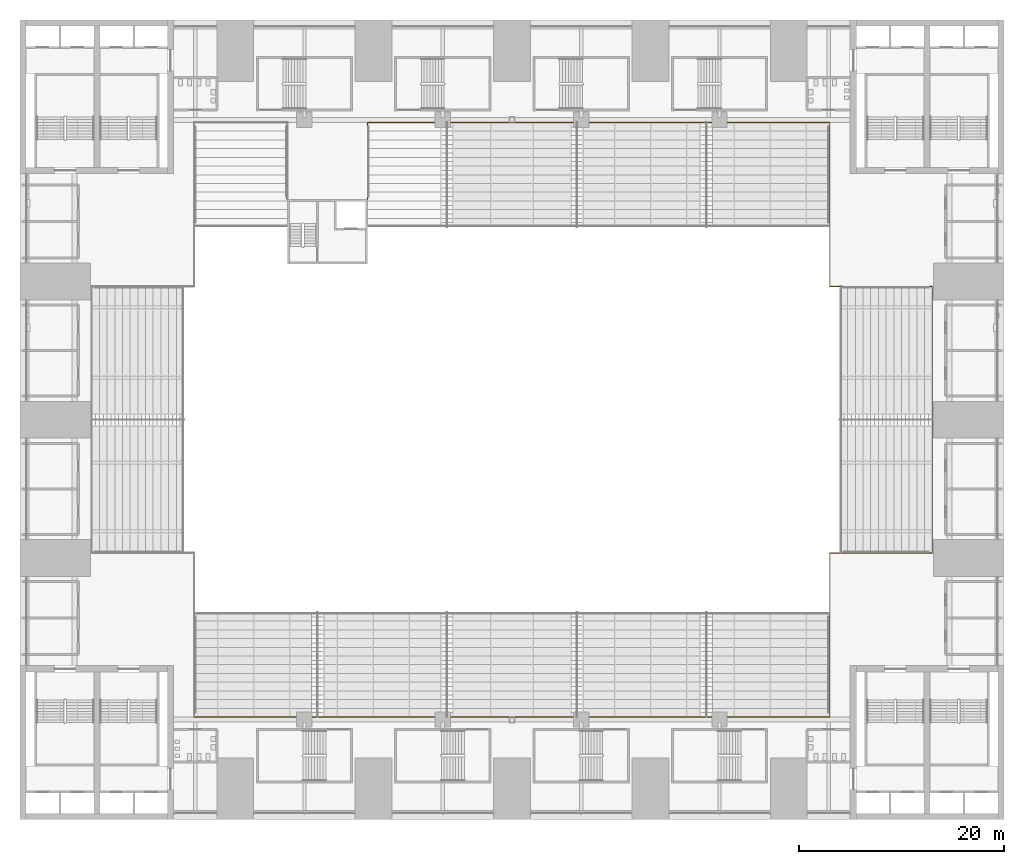
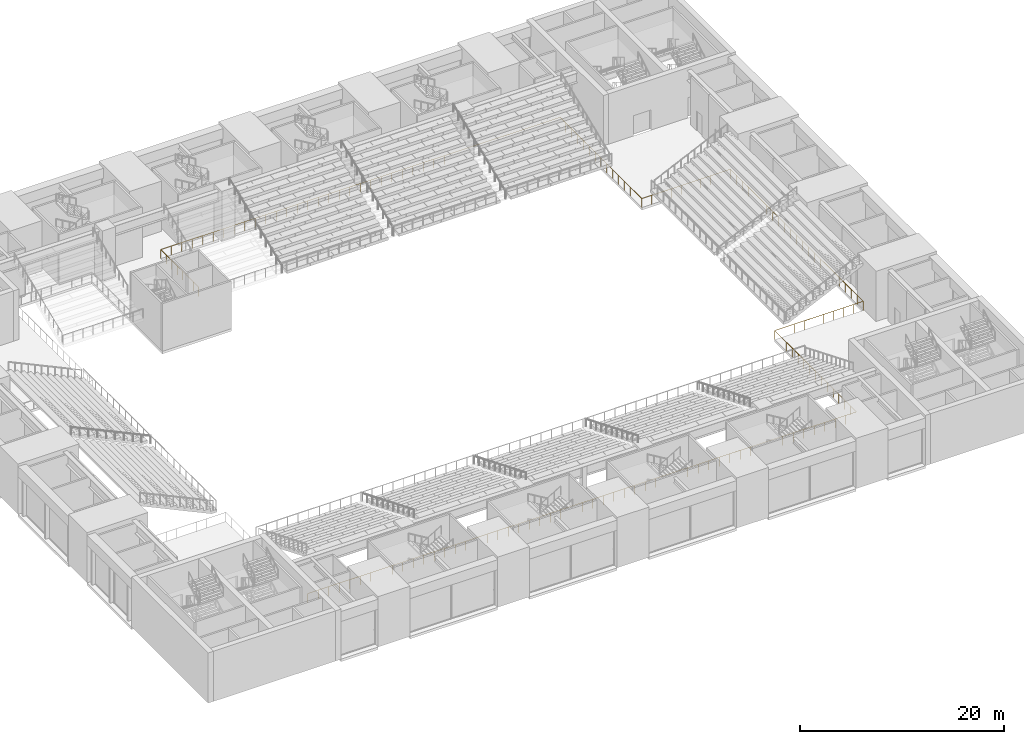
# One storey, part 55 of 61: 1 railing.
"""IFC4 building model written with IfcOpenShell, lengths in metres."""

from ifc_helpers import new_model, si_unit, direction, frame, origin, origin_2d, place, context, subcontext, project, spatial, circle, extrude, material, type_object, element, save


model = new_model("IFC4")

# Units and contexts
model_context = context("Model", 3, precision=1e-05, world=origin(), true_north=direction((0.0, 1.0)))
body_context = subcontext(model_context, "Body", "Model", "MODEL_VIEW")
ifc_project = project(units=[si_unit("LENGTHUNIT", "METRE"), si_unit("AREAUNIT", "SQUARE_METRE"), si_unit("VOLUMEUNIT", "CUBIC_METRE"), si_unit("PLANEANGLEUNIT", "RADIAN"), si_unit("MASSUNIT", "GRAM", prefix="KILO")], contexts=[model_context])

# Site, building, storey
site_placement = place(None, origin())
site = spatial("IfcSite", under=ifc_project, at=site_placement, CompositionType="ELEMENT")
building_placement = place(site_placement, origin())
building = spatial("IfcBuilding", under=site, at=building_placement, Name="Corbelhall Arena Tower", CompositionType="ELEMENT")
storey_placement = place(building_placement, frame((0.0, 0.0, 31.0)))
storey = spatial("IfcBuildingStorey", under=building, at=storey_placement, Name="L04", CompositionType="ELEMENT", Elevation=31.0)

# Railing
ifc_material = material(Name="Stainless steel A4 and laminated glass", Category="steel")
railing_type = type_object("IfcRailingType", Name="AR-GUARD-GLASS", PredefinedType="GUARDRAIL", material=ifc_material)
railing_placement = place(storey_placement, frame((-14.10009765625, 21.550048828125, 0.0)))
element("IfcRailing", 1, at=railing_placement, inside=storey, type_object=railing_type, Name="Bowl void guard L04 2", PredefinedType="GUARDRAIL", context=body_context, shape_type="SweptSolid", body=[
    extrude(circle(Radius=0.02392578125, at=origin_2d()), frame((0.0, 0.0, 1.076171875), z_axis=(0.0, 1.0, 0.0), x_axis=(-1.0, 0.0, 0.0)), (0.0, 0.0, 1.0), 7.449951171875),
    extrude(circle(Radius=0.02392578125, at=origin_2d()), frame((0.0, 7.449951171875, 1.076171875), z_axis=(1.0, 0.0, 0.0), x_axis=(0.0, 1.0, 0.0)), (0.0, 0.0, 1.0), 45.10009765625),
    extrude(circle(Radius=0.02392578125, at=origin_2d()), frame((45.10009765625, 7.449951171875, 1.076171875), z_axis=(0.0, -1.0, 0.0), x_axis=(1.0, 0.0, 0.0)), (0.0, 0.0, 1.0), 16.0),
    extrude(circle(Radius=0.02392578125, at=origin_2d()), frame((45.10009765625, -8.550048828125, 1.076171875), z_axis=(1.0, 0.0, 0.0), x_axis=(0.0, 1.0, 0.0)), (0.0, 0.0, 1.0), 10.0),
    extrude(circle(Radius=0.02392578125, at=origin_2d()), frame((55.10009765625, -8.550048828125, 1.076171875), z_axis=(0.0, -1.0, 0.0), x_axis=(1.0, 0.0, 0.0)), (0.0, 0.0, 1.0), 26.0),
    extrude(circle(Radius=0.02392578125, at=origin_2d()), frame((55.10009765625, -34.550048828125, 1.076171875), z_axis=(-1.0, 0.0, 0.0), x_axis=(0.0, -1.0, 0.0)), (0.0, 0.0, 1.0), 10.0),
    extrude(circle(Radius=0.02392578125, at=origin_2d()), frame((45.10009765625, -34.550048828125, 1.076171875), z_axis=(0.0, -1.0, 0.0), x_axis=(1.0, 0.0, 0.0)), (0.0, 0.0, 1.0), 16.0),
    extrude(circle(Radius=0.02392578125, at=origin_2d()), frame((45.10009765625, -50.550048828125, 1.076171875), z_axis=(-1.0, 0.0, 0.0), x_axis=(0.0, -1.0, 0.0)), (0.0, 0.0, 1.0), 62.0),
    extrude(circle(Radius=0.02099609375, at=origin_2d()), origin(), (0.0, 0.0, 1.0), 1.052001953125),
    extrude(circle(Radius=0.02099609375, at=origin_2d()), frame((0.0, 1.064208984375, 0.0)), (0.0, 0.0, 1.0), 1.052001953125),
    extrude(circle(Radius=0.02099609375, at=origin_2d()), frame((0.0, 2.128662109375, 0.0)), (0.0, 0.0, 1.0), 1.052001953125),
    extrude(circle(Radius=0.02099609375, at=origin_2d()), frame((0.0, 3.19287109375, 0.0)), (0.0, 0.0, 1.0), 1.052001953125),
    extrude(circle(Radius=0.02099609375, at=origin_2d()), frame((0.0, 4.257080078125, 0.0)), (0.0, 0.0, 1.0), 1.052001953125),
    extrude(circle(Radius=0.02099609375, at=origin_2d()), frame((0.0, 5.3212890625, 0.0)), (0.0, 0.0, 1.0), 1.052001953125),
    extrude(circle(Radius=0.02099609375, at=origin_2d()), frame((0.0, 6.3857421875, 0.0)), (0.0, 0.0, 1.0), 1.052001953125),
    extrude(circle(Radius=0.02099609375, at=origin_2d()), frame((0.0, 7.449951171875, 0.0)), (0.0, 0.0, 1.0), 1.052001953125),
    extrude(circle(Radius=0.02099609375, at=origin_2d()), frame((1.186767578125, 7.449951171875, 0.0)), (0.0, 0.0, 1.0), 1.052001953125),
    extrude(circle(Radius=0.02099609375, at=origin_2d()), frame((2.373779296875, 7.449951171875, 0.0)), (0.0, 0.0, 1.0), 1.052001953125),
    extrude(circle(Radius=0.02099609375, at=origin_2d()), frame((3.560546875, 7.449951171875, 0.0)), (0.0, 0.0, 1.0), 1.052001953125),
    extrude(circle(Radius=0.02099609375, at=origin_2d()), frame((4.747314453125, 7.449951171875, 0.0)), (0.0, 0.0, 1.0), 1.052001953125),
    extrude(circle(Radius=0.02099609375, at=origin_2d()), frame((5.934326171875, 7.449951171875, 0.0)), (0.0, 0.0, 1.0), 1.052001953125),
    extrude(circle(Radius=0.02099609375, at=origin_2d()), frame((7.12109375, 7.449951171875, 0.0)), (0.0, 0.0, 1.0), 1.052001953125),
    extrude(circle(Radius=0.02099609375, at=origin_2d()), frame((8.307861328125, 7.449951171875, 0.0)), (0.0, 0.0, 1.0), 1.052001953125),
    extrude(circle(Radius=0.02099609375, at=origin_2d()), frame((9.494873046875, 7.449951171875, 0.0)), (0.0, 0.0, 1.0), 1.052001953125),
    extrude(circle(Radius=0.02099609375, at=origin_2d()), frame((10.681640625, 7.449951171875, 0.0)), (0.0, 0.0, 1.0), 1.052001953125),
    extrude(circle(Radius=0.02099609375, at=origin_2d()), frame((11.868408203125, 7.449951171875, 0.0)), (0.0, 0.0, 1.0), 1.052001953125),
    extrude(circle(Radius=0.02099609375, at=origin_2d()), frame((13.05517578125, 7.449951171875, 0.0)), (0.0, 0.0, 1.0), 1.052001953125),
    extrude(circle(Radius=0.02099609375, at=origin_2d()), frame((14.2421875, 7.449951171875, 0.0)), (0.0, 0.0, 1.0), 1.052001953125),
    extrude(circle(Radius=0.02099609375, at=origin_2d()), frame((15.428955078125, 7.449951171875, 0.0)), (0.0, 0.0, 1.0), 1.052001953125),
    extrude(circle(Radius=0.02099609375, at=origin_2d()), frame((16.61572265625, 7.449951171875, 0.0)), (0.0, 0.0, 1.0), 1.052001953125),
    extrude(circle(Radius=0.02099609375, at=origin_2d()), frame((17.802734375, 7.449951171875, 0.0)), (0.0, 0.0, 1.0), 1.052001953125),
    extrude(circle(Radius=0.02099609375, at=origin_2d()), frame((18.989501953125, 7.449951171875, 0.0)), (0.0, 0.0, 1.0), 1.052001953125),
    extrude(circle(Radius=0.02099609375, at=origin_2d()), frame((20.17626953125, 7.449951171875, 0.0)), (0.0, 0.0, 1.0), 1.052001953125),
    extrude(circle(Radius=0.02099609375, at=origin_2d()), frame((21.36328125, 7.449951171875, 0.0)), (0.0, 0.0, 1.0), 1.052001953125),
    extrude(circle(Radius=0.02099609375, at=origin_2d()), frame((22.550048828125, 7.449951171875, 0.0)), (0.0, 0.0, 1.0), 1.052001953125),
    extrude(circle(Radius=0.02099609375, at=origin_2d()), frame((23.73681640625, 7.449951171875, 0.0)), (0.0, 0.0, 1.0), 1.052001953125),
    extrude(circle(Radius=0.02099609375, at=origin_2d()), frame((24.923828125, 7.449951171875, 0.0)), (0.0, 0.0, 1.0), 1.052001953125),
    extrude(circle(Radius=0.02099609375, at=origin_2d()), frame((26.110595703125, 7.449951171875, 0.0)), (0.0, 0.0, 1.0), 1.052001953125),
    extrude(circle(Radius=0.02099609375, at=origin_2d()), frame((27.29736328125, 7.449951171875, 0.0)), (0.0, 0.0, 1.0), 1.052001953125),
    extrude(circle(Radius=0.02099609375, at=origin_2d()), frame((28.484375, 7.449951171875, 0.0)), (0.0, 0.0, 1.0), 1.052001953125),
    extrude(circle(Radius=0.02099609375, at=origin_2d()), frame((29.671142578125, 7.449951171875, 0.0)), (0.0, 0.0, 1.0), 1.052001953125),
    extrude(circle(Radius=0.02099609375, at=origin_2d()), frame((30.85791015625, 7.449951171875, 0.0)), (0.0, 0.0, 1.0), 1.052001953125),
    extrude(circle(Radius=0.02099609375, at=origin_2d()), frame((32.044921875, 7.449951171875, 0.0)), (0.0, 0.0, 1.0), 1.052001953125),
    extrude(circle(Radius=0.02099609375, at=origin_2d()), frame((33.231689453125, 7.449951171875, 0.0)), (0.0, 0.0, 1.0), 1.052001953125),
    extrude(circle(Radius=0.02099609375, at=origin_2d()), frame((34.41845703125, 7.449951171875, 0.0)), (0.0, 0.0, 1.0), 1.052001953125),
    extrude(circle(Radius=0.02099609375, at=origin_2d()), frame((35.605224609375, 7.449951171875, 0.0)), (0.0, 0.0, 1.0), 1.052001953125),
    extrude(circle(Radius=0.02099609375, at=origin_2d()), frame((36.792236328125, 7.449951171875, 0.0)), (0.0, 0.0, 1.0), 1.052001953125),
    extrude(circle(Radius=0.02099609375, at=origin_2d()), frame((37.97900390625, 7.449951171875, 0.0)), (0.0, 0.0, 1.0), 1.052001953125),
    extrude(circle(Radius=0.02099609375, at=origin_2d()), frame((39.165771484375, 7.449951171875, 0.0)), (0.0, 0.0, 1.0), 1.052001953125),
    extrude(circle(Radius=0.02099609375, at=origin_2d()), frame((40.352783203125, 7.449951171875, 0.0)), (0.0, 0.0, 1.0), 1.052001953125),
    extrude(circle(Radius=0.02099609375, at=origin_2d()), frame((41.53955078125, 7.449951171875, 0.0)), (0.0, 0.0, 1.0), 1.052001953125),
    extrude(circle(Radius=0.02099609375, at=origin_2d()), frame((42.726318359375, 7.449951171875, 0.0)), (0.0, 0.0, 1.0), 1.052001953125),
    extrude(circle(Radius=0.02099609375, at=origin_2d()), frame((43.913330078125, 7.449951171875, 0.0)), (0.0, 0.0, 1.0), 1.052001953125),
    extrude(circle(Radius=0.02099609375, at=origin_2d()), frame((45.10009765625, 7.449951171875, 0.0)), (0.0, 0.0, 1.0), 1.052001953125),
    extrude(circle(Radius=0.02099609375, at=origin_2d()), frame((45.10009765625, 6.30712890625, 0.0)), (0.0, 0.0, 1.0), 1.052001953125),
    extrude(circle(Radius=0.02099609375, at=origin_2d()), frame((45.10009765625, 5.164306640625, 0.0)), (0.0, 0.0, 1.0), 1.052001953125),
    extrude(circle(Radius=0.02099609375, at=origin_2d()), frame((45.10009765625, 4.021484375, 0.0)), (0.0, 0.0, 1.0), 1.052001953125),
    extrude(circle(Radius=0.02099609375, at=origin_2d()), frame((45.10009765625, 2.87841796875, 0.0)), (0.0, 0.0, 1.0), 1.052001953125),
    extrude(circle(Radius=0.02099609375, at=origin_2d()), frame((45.10009765625, 1.735595703125, 0.0)), (0.0, 0.0, 1.0), 1.052001953125),
    extrude(circle(Radius=0.02099609375, at=origin_2d()), frame((45.10009765625, 0.5927734375, 0.0)), (0.0, 0.0, 1.0), 1.052001953125),
    extrude(circle(Radius=0.02099609375, at=origin_2d()), frame((45.10009765625, -0.550048828125, 0.0)), (0.0, 0.0, 1.0), 1.052001953125),
    extrude(circle(Radius=0.02099609375, at=origin_2d()), frame((45.10009765625, -1.69287109375, 0.0)), (0.0, 0.0, 1.0), 1.052001953125),
    extrude(circle(Radius=0.02099609375, at=origin_2d()), frame((45.10009765625, -2.835693359375, 0.0)), (0.0, 0.0, 1.0), 1.052001953125),
    extrude(circle(Radius=0.02099609375, at=origin_2d()), frame((45.10009765625, -3.978515625, 0.0)), (0.0, 0.0, 1.0), 1.052001953125),
    extrude(circle(Radius=0.02099609375, at=origin_2d()), frame((45.10009765625, -5.12158203125, 0.0)), (0.0, 0.0, 1.0), 1.052001953125),
    extrude(circle(Radius=0.02099609375, at=origin_2d()), frame((45.10009765625, -6.264404296875, 0.0)), (0.0, 0.0, 1.0), 1.052001953125),
    extrude(circle(Radius=0.02099609375, at=origin_2d()), frame((45.10009765625, -7.4072265625, 0.0)), (0.0, 0.0, 1.0), 1.052001953125),
    extrude(circle(Radius=0.02099609375, at=origin_2d()), frame((45.10009765625, -8.550048828125, 0.0)), (0.0, 0.0, 1.0), 1.052001953125),
    extrude(circle(Radius=0.02099609375, at=origin_2d()), frame((46.211181640625, -8.550048828125, 0.0)), (0.0, 0.0, 1.0), 1.052001953125),
    extrude(circle(Radius=0.02099609375, at=origin_2d()), frame((47.322265625, -8.550048828125, 0.0)), (0.0, 0.0, 1.0), 1.052001953125),
    extrude(circle(Radius=0.02099609375, at=origin_2d()), frame((48.433349609375, -8.550048828125, 0.0)), (0.0, 0.0, 1.0), 1.052001953125),
    extrude(circle(Radius=0.02099609375, at=origin_2d()), frame((49.54443359375, -8.550048828125, 0.0)), (0.0, 0.0, 1.0), 1.052001953125),
    extrude(circle(Radius=0.02099609375, at=origin_2d()), frame((50.65576171875, -8.550048828125, 0.0)), (0.0, 0.0, 1.0), 1.052001953125),
    extrude(circle(Radius=0.02099609375, at=origin_2d()), frame((51.766845703125, -8.550048828125, 0.0)), (0.0, 0.0, 1.0), 1.052001953125),
    extrude(circle(Radius=0.02099609375, at=origin_2d()), frame((52.8779296875, -8.550048828125, 0.0)), (0.0, 0.0, 1.0), 1.052001953125),
    extrude(circle(Radius=0.02099609375, at=origin_2d()), frame((53.989013671875, -8.550048828125, 0.0)), (0.0, 0.0, 1.0), 1.052001953125),
    extrude(circle(Radius=0.02099609375, at=origin_2d()), frame((55.10009765625, -8.550048828125, 0.0)), (0.0, 0.0, 1.0), 1.052001953125),
    extrude(circle(Radius=0.02099609375, at=origin_2d()), frame((55.10009765625, -9.73193359375, 0.0)), (0.0, 0.0, 1.0), 1.052001953125),
    extrude(circle(Radius=0.02099609375, at=origin_2d()), frame((55.10009765625, -10.91357421875, 0.0)), (0.0, 0.0, 1.0), 1.052001953125),
    extrude(circle(Radius=0.02099609375, at=origin_2d()), frame((55.10009765625, -12.095458984375, 0.0)), (0.0, 0.0, 1.0), 1.052001953125),
    extrude(circle(Radius=0.02099609375, at=origin_2d()), frame((55.10009765625, -13.27734375, 0.0)), (0.0, 0.0, 1.0), 1.052001953125),
    extrude(circle(Radius=0.02099609375, at=origin_2d()), frame((55.10009765625, -14.459228515625, 0.0)), (0.0, 0.0, 1.0), 1.052001953125),
    extrude(circle(Radius=0.02099609375, at=origin_2d()), frame((55.10009765625, -15.640869140625, 0.0)), (0.0, 0.0, 1.0), 1.052001953125),
    extrude(circle(Radius=0.02099609375, at=origin_2d()), frame((55.10009765625, -16.82275390625, 0.0)), (0.0, 0.0, 1.0), 1.052001953125),
    extrude(circle(Radius=0.02099609375, at=origin_2d()), frame((55.10009765625, -18.004638671875, 0.0)), (0.0, 0.0, 1.0), 1.052001953125),
    extrude(circle(Radius=0.02099609375, at=origin_2d()), frame((55.10009765625, -19.1865234375, 0.0)), (0.0, 0.0, 1.0), 1.052001953125),
    extrude(circle(Radius=0.02099609375, at=origin_2d()), frame((55.10009765625, -20.3681640625, 0.0)), (0.0, 0.0, 1.0), 1.052001953125),
    extrude(circle(Radius=0.02099609375, at=origin_2d()), frame((55.10009765625, -21.550048828125, 0.0)), (0.0, 0.0, 1.0), 1.052001953125),
    extrude(circle(Radius=0.02099609375, at=origin_2d()), frame((55.10009765625, -22.73193359375, 0.0)), (0.0, 0.0, 1.0), 1.052001953125),
    extrude(circle(Radius=0.02099609375, at=origin_2d()), frame((55.10009765625, -23.91357421875, 0.0)), (0.0, 0.0, 1.0), 1.052001953125),
    extrude(circle(Radius=0.02099609375, at=origin_2d()), frame((55.10009765625, -25.095458984375, 0.0)), (0.0, 0.0, 1.0), 1.052001953125),
    extrude(circle(Radius=0.02099609375, at=origin_2d()), frame((55.10009765625, -26.27734375, 0.0)), (0.0, 0.0, 1.0), 1.052001953125),
    extrude(circle(Radius=0.02099609375, at=origin_2d()), frame((55.10009765625, -27.459228515625, 0.0)), (0.0, 0.0, 1.0), 1.052001953125),
    extrude(circle(Radius=0.02099609375, at=origin_2d()), frame((55.10009765625, -28.640869140625, 0.0)), (0.0, 0.0, 1.0), 1.052001953125),
    extrude(circle(Radius=0.02099609375, at=origin_2d()), frame((55.10009765625, -29.82275390625, 0.0)), (0.0, 0.0, 1.0), 1.052001953125),
    extrude(circle(Radius=0.02099609375, at=origin_2d()), frame((55.10009765625, -31.004638671875, 0.0)), (0.0, 0.0, 1.0), 1.052001953125),
    extrude(circle(Radius=0.02099609375, at=origin_2d()), frame((55.10009765625, -32.1865234375, 0.0)), (0.0, 0.0, 1.0), 1.052001953125),
    extrude(circle(Radius=0.02099609375, at=origin_2d()), frame((55.10009765625, -33.3681640625, 0.0)), (0.0, 0.0, 1.0), 1.052001953125),
    extrude(circle(Radius=0.02099609375, at=origin_2d()), frame((55.10009765625, -34.550048828125, 0.0)), (0.0, 0.0, 1.0), 1.052001953125),
    extrude(circle(Radius=0.02099609375, at=origin_2d()), frame((53.989013671875, -34.550048828125, 0.0)), (0.0, 0.0, 1.0), 1.052001953125),
    extrude(circle(Radius=0.02099609375, at=origin_2d()), frame((52.8779296875, -34.550048828125, 0.0)), (0.0, 0.0, 1.0), 1.052001953125),
    extrude(circle(Radius=0.02099609375, at=origin_2d()), frame((51.766845703125, -34.550048828125, 0.0)), (0.0, 0.0, 1.0), 1.052001953125),
    extrude(circle(Radius=0.02099609375, at=origin_2d()), frame((50.65576171875, -34.550048828125, 0.0)), (0.0, 0.0, 1.0), 1.052001953125),
    extrude(circle(Radius=0.02099609375, at=origin_2d()), frame((49.54443359375, -34.550048828125, 0.0)), (0.0, 0.0, 1.0), 1.052001953125),
    extrude(circle(Radius=0.02099609375, at=origin_2d()), frame((48.433349609375, -34.550048828125, 0.0)), (0.0, 0.0, 1.0), 1.052001953125),
    extrude(circle(Radius=0.02099609375, at=origin_2d()), frame((47.322265625, -34.550048828125, 0.0)), (0.0, 0.0, 1.0), 1.052001953125),
    extrude(circle(Radius=0.02099609375, at=origin_2d()), frame((46.211181640625, -34.550048828125, 0.0)), (0.0, 0.0, 1.0), 1.052001953125),
    extrude(circle(Radius=0.02099609375, at=origin_2d()), frame((45.10009765625, -34.550048828125, 0.0)), (0.0, 0.0, 1.0), 1.052001953125),
    extrude(circle(Radius=0.02099609375, at=origin_2d()), frame((45.10009765625, -35.69287109375, 0.0)), (0.0, 0.0, 1.0), 1.052001953125),
    extrude(circle(Radius=0.02099609375, at=origin_2d()), frame((45.10009765625, -36.835693359375, 0.0)), (0.0, 0.0, 1.0), 1.052001953125),
    extrude(circle(Radius=0.02099609375, at=origin_2d()), frame((45.10009765625, -37.978515625, 0.0)), (0.0, 0.0, 1.0), 1.052001953125),
    extrude(circle(Radius=0.02099609375, at=origin_2d()), frame((45.10009765625, -39.12158203125, 0.0)), (0.0, 0.0, 1.0), 1.052001953125),
    extrude(circle(Radius=0.02099609375, at=origin_2d()), frame((45.10009765625, -40.264404296875, 0.0)), (0.0, 0.0, 1.0), 1.052001953125),
    extrude(circle(Radius=0.02099609375, at=origin_2d()), frame((45.10009765625, -41.4072265625, 0.0)), (0.0, 0.0, 1.0), 1.052001953125),
    extrude(circle(Radius=0.02099609375, at=origin_2d()), frame((45.10009765625, -42.550048828125, 0.0)), (0.0, 0.0, 1.0), 1.052001953125),
    extrude(circle(Radius=0.02099609375, at=origin_2d()), frame((45.10009765625, -43.69287109375, 0.0)), (0.0, 0.0, 1.0), 1.052001953125),
    extrude(circle(Radius=0.02099609375, at=origin_2d()), frame((45.10009765625, -44.835693359375, 0.0)), (0.0, 0.0, 1.0), 1.052001953125),
    extrude(circle(Radius=0.02099609375, at=origin_2d()), frame((45.10009765625, -45.978515625, 0.0)), (0.0, 0.0, 1.0), 1.052001953125),
    extrude(circle(Radius=0.02099609375, at=origin_2d()), frame((45.10009765625, -47.12158203125, 0.0)), (0.0, 0.0, 1.0), 1.052001953125),
    extrude(circle(Radius=0.02099609375, at=origin_2d()), frame((45.10009765625, -48.264404296875, 0.0)), (0.0, 0.0, 1.0), 1.052001953125),
    extrude(circle(Radius=0.02099609375, at=origin_2d()), frame((45.10009765625, -49.4072265625, 0.0)), (0.0, 0.0, 1.0), 1.052001953125),
    extrude(circle(Radius=0.02099609375, at=origin_2d()), frame((45.10009765625, -50.550048828125, 0.0)), (0.0, 0.0, 1.0), 1.052001953125),
    extrude(circle(Radius=0.02099609375, at=origin_2d()), frame((43.90771484375, -50.550048828125, 0.0)), (0.0, 0.0, 1.0), 1.052001953125),
    extrude(circle(Radius=0.02099609375, at=origin_2d()), frame((42.715576171875, -50.550048828125, 0.0)), (0.0, 0.0, 1.0), 1.052001953125),
    extrude(circle(Radius=0.02099609375, at=origin_2d()), frame((41.523193359375, -50.550048828125, 0.0)), (0.0, 0.0, 1.0), 1.052001953125),
    extrude(circle(Radius=0.02099609375, at=origin_2d()), frame((40.330810546875, -50.550048828125, 0.0)), (0.0, 0.0, 1.0), 1.052001953125),
    extrude(circle(Radius=0.02099609375, at=origin_2d()), frame((39.138671875, -50.550048828125, 0.0)), (0.0, 0.0, 1.0), 1.052001953125),
    extrude(circle(Radius=0.02099609375, at=origin_2d()), frame((37.9462890625, -50.550048828125, 0.0)), (0.0, 0.0, 1.0), 1.052001953125),
    extrude(circle(Radius=0.02099609375, at=origin_2d()), frame((36.75390625, -50.550048828125, 0.0)), (0.0, 0.0, 1.0), 1.052001953125),
    extrude(circle(Radius=0.02099609375, at=origin_2d()), frame((35.5615234375, -50.550048828125, 0.0)), (0.0, 0.0, 1.0), 1.052001953125),
    extrude(circle(Radius=0.02099609375, at=origin_2d()), frame((34.369384765625, -50.550048828125, 0.0)), (0.0, 0.0, 1.0), 1.052001953125),
    extrude(circle(Radius=0.02099609375, at=origin_2d()), frame((33.177001953125, -50.550048828125, 0.0)), (0.0, 0.0, 1.0), 1.052001953125),
    extrude(circle(Radius=0.02099609375, at=origin_2d()), frame((31.984619140625, -50.550048828125, 0.0)), (0.0, 0.0, 1.0), 1.052001953125),
    extrude(circle(Radius=0.02099609375, at=origin_2d()), frame((30.79248046875, -50.550048828125, 0.0)), (0.0, 0.0, 1.0), 1.052001953125),
    extrude(circle(Radius=0.02099609375, at=origin_2d()), frame((29.60009765625, -50.550048828125, 0.0)), (0.0, 0.0, 1.0), 1.052001953125),
    extrude(circle(Radius=0.02099609375, at=origin_2d()), frame((28.40771484375, -50.550048828125, 0.0)), (0.0, 0.0, 1.0), 1.052001953125),
    extrude(circle(Radius=0.02099609375, at=origin_2d()), frame((27.215576171875, -50.550048828125, 0.0)), (0.0, 0.0, 1.0), 1.052001953125),
    extrude(circle(Radius=0.02099609375, at=origin_2d()), frame((26.023193359375, -50.550048828125, 0.0)), (0.0, 0.0, 1.0), 1.052001953125),
    extrude(circle(Radius=0.02099609375, at=origin_2d()), frame((24.830810546875, -50.550048828125, 0.0)), (0.0, 0.0, 1.0), 1.052001953125),
    extrude(circle(Radius=0.02099609375, at=origin_2d()), frame((23.638671875, -50.550048828125, 0.0)), (0.0, 0.0, 1.0), 1.052001953125),
    extrude(circle(Radius=0.02099609375, at=origin_2d()), frame((22.4462890625, -50.550048828125, 0.0)), (0.0, 0.0, 1.0), 1.052001953125),
    extrude(circle(Radius=0.02099609375, at=origin_2d()), frame((21.25390625, -50.550048828125, 0.0)), (0.0, 0.0, 1.0), 1.052001953125),
    extrude(circle(Radius=0.02099609375, at=origin_2d()), frame((20.0615234375, -50.550048828125, 0.0)), (0.0, 0.0, 1.0), 1.052001953125),
    extrude(circle(Radius=0.02099609375, at=origin_2d()), frame((18.869384765625, -50.550048828125, 0.0)), (0.0, 0.0, 1.0), 1.052001953125),
    extrude(circle(Radius=0.02099609375, at=origin_2d()), frame((17.677001953125, -50.550048828125, 0.0)), (0.0, 0.0, 1.0), 1.052001953125),
    extrude(circle(Radius=0.02099609375, at=origin_2d()), frame((16.484619140625, -50.550048828125, 0.0)), (0.0, 0.0, 1.0), 1.052001953125),
    extrude(circle(Radius=0.02099609375, at=origin_2d()), frame((15.29248046875, -50.550048828125, 0.0)), (0.0, 0.0, 1.0), 1.052001953125),
    extrude(circle(Radius=0.02099609375, at=origin_2d()), frame((14.10009765625, -50.550048828125, 0.0)), (0.0, 0.0, 1.0), 1.052001953125),
    extrude(circle(Radius=0.02099609375, at=origin_2d()), frame((12.90771484375, -50.550048828125, 0.0)), (0.0, 0.0, 1.0), 1.052001953125),
    extrude(circle(Radius=0.02099609375, at=origin_2d()), frame((11.715576171875, -50.550048828125, 0.0)), (0.0, 0.0, 1.0), 1.052001953125),
    extrude(circle(Radius=0.02099609375, at=origin_2d()), frame((10.523193359375, -50.550048828125, 0.0)), (0.0, 0.0, 1.0), 1.052001953125),
    extrude(circle(Radius=0.02099609375, at=origin_2d()), frame((9.330810546875, -50.550048828125, 0.0)), (0.0, 0.0, 1.0), 1.052001953125),
    extrude(circle(Radius=0.02099609375, at=origin_2d()), frame((8.138671875, -50.550048828125, 0.0)), (0.0, 0.0, 1.0), 1.052001953125),
    extrude(circle(Radius=0.02099609375, at=origin_2d()), frame((6.9462890625, -50.550048828125, 0.0)), (0.0, 0.0, 1.0), 1.052001953125),
    extrude(circle(Radius=0.02099609375, at=origin_2d()), frame((5.75390625, -50.550048828125, 0.0)), (0.0, 0.0, 1.0), 1.052001953125),
    extrude(circle(Radius=0.02099609375, at=origin_2d()), frame((4.5615234375, -50.550048828125, 0.0)), (0.0, 0.0, 1.0), 1.052001953125),
    extrude(circle(Radius=0.02099609375, at=origin_2d()), frame((3.369384765625, -50.550048828125, 0.0)), (0.0, 0.0, 1.0), 1.052001953125),
    extrude(circle(Radius=0.02099609375, at=origin_2d()), frame((2.177001953125, -50.550048828125, 0.0)), (0.0, 0.0, 1.0), 1.052001953125),
    extrude(circle(Radius=0.02099609375, at=origin_2d()), frame((0.984619140625, -50.550048828125, 0.0)), (0.0, 0.0, 1.0), 1.052001953125),
    extrude(circle(Radius=0.02099609375, at=origin_2d()), frame((-0.20751953125, -50.550048828125, 0.0)), (0.0, 0.0, 1.0), 1.052001953125),
    extrude(circle(Radius=0.02099609375, at=origin_2d()), frame((-1.39990234375, -50.550048828125, 0.0)), (0.0, 0.0, 1.0), 1.052001953125),
    extrude(circle(Radius=0.02099609375, at=origin_2d()), frame((-2.59228515625, -50.550048828125, 0.0)), (0.0, 0.0, 1.0), 1.052001953125),
    extrude(circle(Radius=0.02099609375, at=origin_2d()), frame((-3.784423828125, -50.550048828125, 0.0)), (0.0, 0.0, 1.0), 1.052001953125),
    extrude(circle(Radius=0.02099609375, at=origin_2d()), frame((-4.976806640625, -50.550048828125, 0.0)), (0.0, 0.0, 1.0), 1.052001953125),
    extrude(circle(Radius=0.02099609375, at=origin_2d()), frame((-6.169189453125, -50.550048828125, 0.0)), (0.0, 0.0, 1.0), 1.052001953125),
    extrude(circle(Radius=0.02099609375, at=origin_2d()), frame((-7.361328125, -50.550048828125, 0.0)), (0.0, 0.0, 1.0), 1.052001953125),
    extrude(circle(Radius=0.02099609375, at=origin_2d()), frame((-8.5537109375, -50.550048828125, 0.0)), (0.0, 0.0, 1.0), 1.052001953125),
    extrude(circle(Radius=0.02099609375, at=origin_2d()), frame((-9.74609375, -50.550048828125, 0.0)), (0.0, 0.0, 1.0), 1.052001953125),
    extrude(circle(Radius=0.02099609375, at=origin_2d()), frame((-10.9384765625, -50.550048828125, 0.0)), (0.0, 0.0, 1.0), 1.052001953125),
    extrude(circle(Radius=0.02099609375, at=origin_2d()), frame((-12.130615234375, -50.550048828125, 0.0)), (0.0, 0.0, 1.0), 1.052001953125),
    extrude(circle(Radius=0.02099609375, at=origin_2d()), frame((-13.322998046875, -50.550048828125, 0.0)), (0.0, 0.0, 1.0), 1.052001953125),
    extrude(circle(Radius=0.02099609375, at=origin_2d()), frame((-14.515380859375, -50.550048828125, 0.0)), (0.0, 0.0, 1.0), 1.052001953125),
    extrude(circle(Radius=0.02099609375, at=origin_2d()), frame((-15.70751953125, -50.550048828125, 0.0)), (0.0, 0.0, 1.0), 1.052001953125),
    extrude(circle(Radius=0.02099609375, at=origin_2d()), frame((-16.89990234375, -50.550048828125, 0.0)), (0.0, 0.0, 1.0), 1.052001953125),
])

save(model, "model.ifc")
